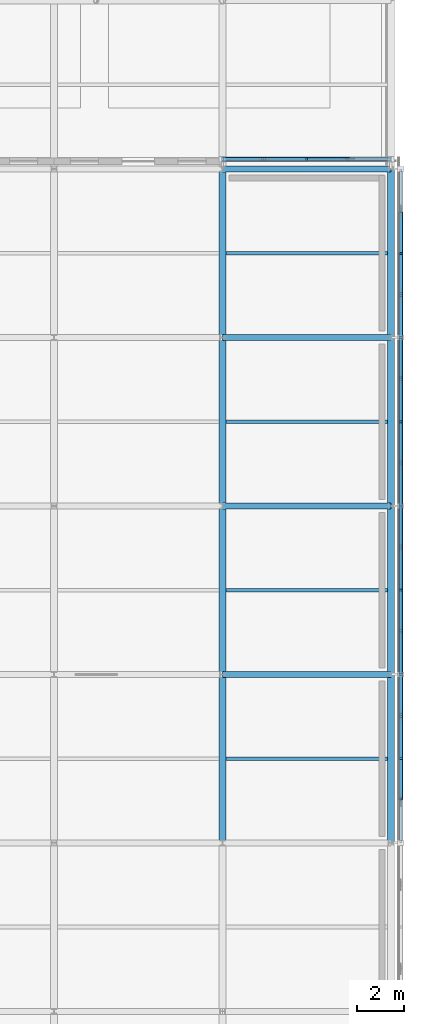
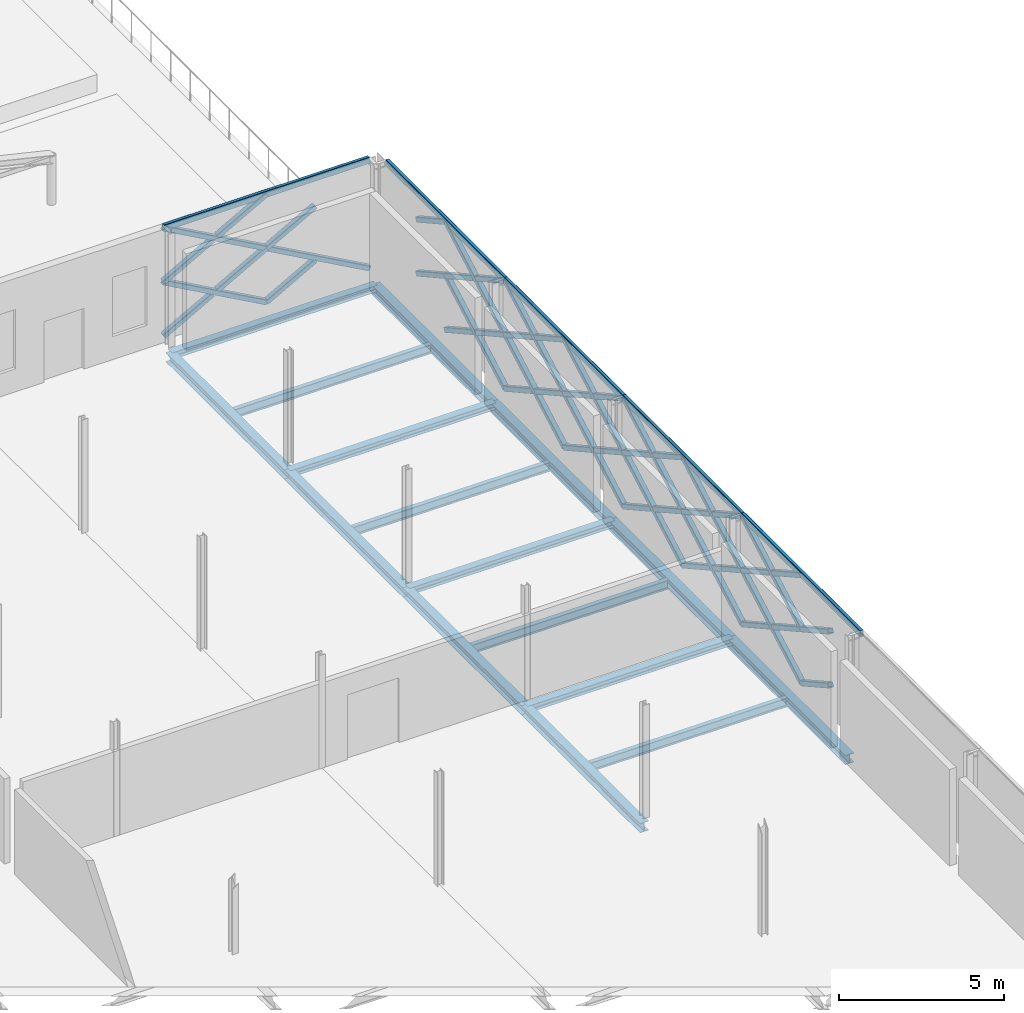
# One storey, part 63 of 126: 54 members, 16 beams.
"""IFC4 building model written with IfcOpenShell, lengths in metres."""

import ifcopenshell
import ifcopenshell.guid

model = None  # the IFC model being written
_history = None  # IfcOwnerHistory: only IFC2X3 demands one
_inside = {}  # id of a spatial element -> (the spatial element, [elements in it])
_under = {}  # id of a project, library or spatial element -> (it, [spatial elements below it])
_declared = {}  # id of a project -> (the project, [libraries it declares])
_typed = {}  # id of a type object -> (the type object, [elements of that type])
_made_of = {}  # id of a material, layer set ... -> (it, [elements and type objects made of it])


def new_model(schema):
    """Start an empty IFC model of exactly this schema.

    Asked for "IFC4X3", IfcOpenShell would pick the latest addendum, in which some entities
    have other attributes; the version numbers below select the first issue.
    IFC2X3 requires an IfcOwnerHistory on every rooted entity: one is made here for all.
    """
    global model, _history
    if schema == "IFC4X3":
        model = ifcopenshell.file(schema_version=(4, 3, 0, 0))
    else:
        model = ifcopenshell.file(schema=schema)
    _inside.clear()
    _under.clear()
    _declared.clear()
    _typed.clear()
    _made_of.clear()
    _history = None
    if model.schema == "IFC2X3":
        org = make("IfcOrganization", Name="unknown")
        user = make(
            "IfcPersonAndOrganization",
            ThePerson=make("IfcPerson", FamilyName="unknown"),
            TheOrganization=org,
        )
        app = make(
            "IfcApplication",
            ApplicationDeveloper=org,
            Version="unknown",
            ApplicationFullName="unknown",
            ApplicationIdentifier="unknown",
        )
        _history = make(
            "IfcOwnerHistory",
            OwningUser=user,
            OwningApplication=app,
            ChangeAction="ADDED",
            CreationDate=0,
        )
    return model


def make(cls, **values):
    """One entity of the class cls with the attributes given. An attribute that is None is left unset."""
    return model.create_entity(
        cls, **{name: value for name, value in values.items() if value is not None}
    )


def rooted(cls, **values):
    """An entity with a GlobalId (a new one), such as an element, a storey or a relation."""
    return make(cls, GlobalId=ifcopenshell.guid.new(), OwnerHistory=_history, **values)


def si_unit(unit_type, name, prefix=None):
    """IfcSIUnit, for example si_unit("LENGTHUNIT", "METRE", prefix="MILLI")."""
    return make("IfcSIUnit", UnitType=unit_type, Prefix=prefix, Name=name)


def assignment(units):
    """IfcUnitAssignment: the units of a project."""
    return None if units is None else make("IfcUnitAssignment", Units=units)


def point(xyz):
    """IfcCartesianPoint."""
    return None if xyz is None else make("IfcCartesianPoint", Coordinates=xyz)


def direction(xyz):
    """IfcDirection."""
    return None if xyz is None else make("IfcDirection", DirectionRatios=xyz)


def frame(location, z_axis=None, x_axis=None):
    """IfcAxis2Placement3D, a coordinate frame: its origin and axes. An axis left out is left unset."""
    return make(
        "IfcAxis2Placement3D",
        Location=point(location),
        Axis=direction(z_axis),
        RefDirection=direction(x_axis),
    )


def frame_2d(location, x_axis=None):
    """IfcAxis2Placement2D, a coordinate frame in the plane: its origin and x axis."""
    return make(
        "IfcAxis2Placement2D", Location=point(location), RefDirection=direction(x_axis)
    )


def origin():
    """The frame at (0, 0, 0) with its axes left unset."""
    return frame((0.0, 0.0, 0.0))


def origin_2d():
    """The frame at (0, 0) in the plane with its x axis left unset."""
    return frame_2d((0.0, 0.0))


def place(relative_to, where):
    """IfcLocalPlacement: puts the frame where relative to a parent placement (None: the world)."""
    return make(
        "IfcLocalPlacement", PlacementRelTo=relative_to, RelativePlacement=where
    )


def context(
    kind, dimensions, precision=None, world=None, true_north=None, identifier=None
):
    """IfcGeometricRepresentationContext, for example the 3D "Model" context."""
    return make(
        "IfcGeometricRepresentationContext",
        ContextIdentifier=identifier,
        ContextType=kind,
        CoordinateSpaceDimension=dimensions,
        Precision=precision,
        WorldCoordinateSystem=world,
        TrueNorth=true_north,
    )


def subcontext(parent, identifier, kind, view, scale=None):
    """IfcGeometricRepresentationSubContext, for example "Body" below "Model"."""
    return make(
        "IfcGeometricRepresentationSubContext",
        ContextIdentifier=identifier,
        ContextType=kind,
        ParentContext=parent,
        TargetScale=scale,
        TargetView=view,
    )


def project(units=None, contexts=None):
    """IfcProject with its units and contexts."""
    return rooted(
        "IfcProject",
        Name="project",
        RepresentationContexts=contexts,
        UnitsInContext=assignment(units),
    )


def spatial(cls, under=None, at=None, **own):
    """A site, building, storey or space (cls), placed at a placement, below another one or the project."""
    s = rooted(cls, ObjectPlacement=at, **own)
    if under is not None:
        _under.setdefault(under.id(), (under, []))[1].append(s)
    return s


def profile(cls, at=None, kind="AREA", **sizes):
    """A parametric profile (cls). Its sizes go by their IFC names, for example OverallWidth=200.0."""
    return make(cls, ProfileType=kind, Position=at, **sizes)


def hollow_rectangle(**sizes):
    """IfcRectangleHollowProfileDef."""
    return profile("IfcRectangleHollowProfileDef", **sizes)


def i_section(**sizes):
    """IfcIShapeProfileDef."""
    return profile("IfcIShapeProfileDef", **sizes)


def extrude(swept, where, along, depth):
    """IfcExtrudedAreaSolid: the profile swept, set in the frame where, extruded along a direction by depth."""
    return make(
        "IfcExtrudedAreaSolid",
        SweptArea=swept,
        Position=where,
        ExtrudedDirection=direction(along),
        Depth=depth,
    )


def shape(context_of_items, identifier, shape_type, items):
    """IfcShapeRepresentation: the items that make up one representation, for example the "Body"."""
    return make(
        "IfcShapeRepresentation",
        ContextOfItems=context_of_items,
        RepresentationIdentifier=identifier,
        RepresentationType=shape_type,
        Items=items,
    )


def material(Name=None, Category=None):
    """IfcMaterial."""
    return make("IfcMaterial", Name=Name, Category=Category)


def material_profile(
    of_material, cross_section, Name=None, Category=None, Priority=None
):
    """IfcMaterialProfile: a cross section and its material."""
    return make(
        "IfcMaterialProfile",
        Name=Name,
        Material=of_material,
        Profile=cross_section,
        Priority=Priority,
        Category=Category,
    )


def profile_set(profiles, Name=None, composite=None):
    """IfcMaterialProfileSet."""
    return make(
        "IfcMaterialProfileSet",
        Name=Name,
        MaterialProfiles=profiles,
        CompositeProfile=composite,
    )


def made_of(thing, what):
    """Note that an element or type object is made of a material, layer set ...; save() writes the relation."""
    if what is not None:
        _made_of.setdefault(what.id(), (what, []))[1].append(thing)
    return thing


def type_object(cls, material=None, **own):
    """A type object (cls), such as IfcWallType, which elements share."""
    return made_of(rooted(cls, **own), material)


def element(
    cls,
    number,
    at=None,
    inside=None,
    cuts=None,
    type_object=None,
    material=None,
    context=None,
    identifier="Body",
    shape_type=None,
    held_by="IfcProductDefinitionShape",
    body=None,
    shapes=None,
    **own,
):
    """One element of the class cls, such as IfcWall. Its Tag is "e" and its number.

    at: its placement. inside: the storey or other place that contains it. cuts: it is an
    opening in that element (IfcRelVoidsElement). A single representation is given by context,
    identifier, shape_type and body (its items); several are given by shapes. held_by: the class
    of the entity that holds the representations. save() writes the other relations.
    """
    e = rooted(cls, Tag="e%d" % number, ObjectPlacement=at, **own)
    if body is not None:
        shapes = [shape(context, identifier, shape_type, body)]
    if shapes is not None:
        e.Representation = make(held_by, Representations=shapes)
    if inside is not None:
        _inside.setdefault(inside.id(), (inside, []))[1].append(e)
    if cuts is not None:
        rooted(
            "IfcRelVoidsElement", RelatingBuildingElement=cuts, RelatedOpeningElement=e
        )
    if type_object is not None:
        _typed.setdefault(type_object.id(), (type_object, []))[1].append(e)
    return made_of(e, material)


def aggregate(whole, parts):
    """IfcRelAggregates: a whole, such as a stair, and the parts it consists of."""
    return rooted("IfcRelAggregates", RelatingObject=whole, RelatedObjects=parts)


def save(model, path):
    """Write the relations noted so far, then the file.

    IfcRelAggregates (storeys below a building ...), IfcRelContainedInSpatialStructure (elements
    in a storey), IfcRelDefinesByType, IfcRelAssociatesMaterial and IfcRelDeclares: one each for
    every whole, place, type object, material and project.
    """
    for whole, parts in _under.values():
        aggregate(whole, parts)
    for where, things in _inside.values():
        rooted(
            "IfcRelContainedInSpatialStructure",
            RelatedElements=things,
            RelatingStructure=where,
        )
    for kind, things in _typed.values():
        rooted("IfcRelDefinesByType", RelatedObjects=things, RelatingType=kind)
    for what, things in _made_of.values():
        rooted("IfcRelAssociatesMaterial", RelatedObjects=things, RelatingMaterial=what)
    for by, libraries in _declared.values():
        rooted("IfcRelDeclares", RelatingContext=by, RelatedDefinitions=libraries)
    model.write(path)


model = new_model("IFC4")

# Units and contexts
model_context = context("Model", 3, precision=1e-05, world=origin(), true_north=direction((0.0, 1.0)))
body_context = subcontext(model_context, "Body", "Model", "MODEL_VIEW")
ifc_project = project(units=[si_unit("LENGTHUNIT", "METRE"), si_unit("AREAUNIT", "SQUARE_METRE"), si_unit("VOLUMEUNIT", "CUBIC_METRE"), si_unit("PLANEANGLEUNIT", "RADIAN"), si_unit("MASSUNIT", "GRAM", prefix="KILO")], contexts=[model_context])

# Site, building, storey
site_placement = place(None, origin())
site = spatial("IfcSite", under=ifc_project, at=site_placement, CompositionType="ELEMENT")
building_placement = place(site_placement, origin())
building = spatial("IfcBuilding", under=site, at=building_placement, Name="Zlatovets Crest Museum", CompositionType="ELEMENT")
storey_placement = place(building_placement, frame((0.0, 0.0, 8.699951171875)))
storey = spatial("IfcBuildingStorey", under=building, at=storey_placement, Name="L02", CompositionType="ELEMENT", Elevation=8.699951171875)

# Beams
ifc_material_1 = material(Name="Structural steel S355J2", Category="steel")
ifc_material_profile_1 = material_profile(ifc_material_1, i_section(OverallWidth=0.300048828125, OverallDepth=0.35009765625, WebThickness=0.010009765625, FlangeThickness=0.017578125, FilletRadius=0.027099609375, at=origin_2d()), Name="HEA 360")
ifc_profile_set_1 = profile_set([ifc_material_profile_1], Name="Structural steel S355J2")
beam_type_1 = type_object("IfcBeamType", Name="Beam_B-03", PredefinedType="BEAM", material=ifc_profile_set_1)
for number, where, z_axis, x_axis, name in (
    (1, (158.39990234375, 28.800048828125, -0.39501953125), (0.0, 1.0, 0.0), (-1.0, 0.0, 0.0), "V5 L02 Grid Beam B-03"),
    (2, (158.39990234375, 36.0, -0.39501953125), (0.0, 1.0, 0.0), (-1.0, 0.0, 0.0), "V5 L02 Grid Beam B-03"),
    (3, (158.39990234375, 43.199951171875, -0.39501953125), (0.0, 1.0, 0.0), (-1.0, 0.0, 0.0), "V5 L02 Grid Beam B-03"),
):
    element("IfcBeam", number, at=place(storey_placement, frame(where, z_axis=z_axis, x_axis=x_axis)), inside=storey, type_object=beam_type_1, Name=name, PredefinedType="BEAM", context=body_context, shape_type="SweptSolid", body=[
        extrude(i_section(OverallWidth=0.300048828125, OverallDepth=0.35009765625, WebThickness=0.010009765625, FlangeThickness=0.017578125, FilletRadius=0.027099609375, at=origin_2d()), origin(), (0.0, 0.0, 1.0), 7.199951171875),
    ])
beam_1_placement = place(storey_placement, frame((158.39990234375, 50.39990234375, -0.39501953125), z_axis=(0.0, 1.0, 0.0), x_axis=(-1.0, 0.0, 0.0)))
element("IfcBeam", 4, at=beam_1_placement, inside=storey, type_object=beam_type_1, Name="V5 L02 Grid Beam B-03", PredefinedType="BEAM", context=body_context, shape_type="SweptSolid", body=[
    extrude(i_section(OverallWidth=0.300048828125, OverallDepth=0.35009765625, WebThickness=0.010009765625, FlangeThickness=0.017578125, FilletRadius=0.027099609375, at=origin_2d()), origin(), (0.0, 0.0, 1.0), 7.2001953125),
])
for number, where, z_axis, x_axis, name in (
    (5, (165.60009765625, 28.800048828125, -0.39501953125), (0.0, 1.0, 0.0), (-1.0, 0.0, 0.0), "V5 L02 Grid Beam B-03"),
    (6, (165.60009765625, 36.0, -0.39501953125), (0.0, 1.0, 0.0), (-1.0, 0.0, 0.0), "V5 L02 Grid Beam B-03"),
    (7, (165.60009765625, 43.199951171875, -0.39501953125), (0.0, 1.0, 0.0), (-1.0, 0.0, 0.0), "V5 L02 Grid Beam B-03"),
):
    element("IfcBeam", number, at=place(storey_placement, frame(where, z_axis=z_axis, x_axis=x_axis)), inside=storey, type_object=beam_type_1, Name=name, PredefinedType="BEAM", context=body_context, shape_type="SweptSolid", body=[
        extrude(i_section(OverallWidth=0.300048828125, OverallDepth=0.35009765625, WebThickness=0.010009765625, FlangeThickness=0.017578125, FilletRadius=0.027099609375, at=origin_2d()), origin(), (0.0, 0.0, 1.0), 7.199951171875),
    ])
beam_2_placement = place(storey_placement, frame((165.60009765625, 50.39990234375, -0.39501953125), z_axis=(0.0, 1.0, 0.0), x_axis=(-1.0, 0.0, 0.0)))
element("IfcBeam", 8, at=beam_2_placement, inside=storey, type_object=beam_type_1, Name="V5 L02 Grid Beam B-03", PredefinedType="BEAM", context=body_context, shape_type="SweptSolid", body=[
    extrude(i_section(OverallWidth=0.300048828125, OverallDepth=0.35009765625, WebThickness=0.010009765625, FlangeThickness=0.017578125, FilletRadius=0.027099609375, at=origin_2d()), origin(), (0.0, 0.0, 1.0), 7.2001953125),
])
ifc_material_profile_2 = material_profile(ifc_material_1, i_section(OverallWidth=0.260009765625, OverallDepth=0.25, WebThickness=0.007568359375, FlangeThickness=0.012451171875, FilletRadius=0.02392578125, at=origin_2d()), Name="HEA 260")
ifc_profile_set_2 = profile_set([ifc_material_profile_2], Name="Structural steel S355J2")
beam_type_2 = type_object("IfcBeamType", Name="Beam_B-13", PredefinedType="BEAM", material=ifc_profile_set_2)
for number, where, z_axis, x_axis, name in (
    (9, (158.39990234375, 36.0, -0.344970703125), (1.0, 0.0, 0.0), (0.0, 1.0, 0.0), "V5 L02 Primary Girder B-13"),
    (10, (158.39990234375, 43.199951171875, -0.344970703125), (1.0, 0.0, 0.0), (0.0, 1.0, 0.0), "V5 L02 Primary Girder B-13"),
    (11, (158.39990234375, 50.39990234375, -0.344970703125), (1.0, 0.0, 0.0), (0.0, 1.0, 0.0), "V5 L02 Primary Girder B-13"),
    (12, (158.39990234375, 57.60009765625, -0.344970703125), (1.0, 0.0, 0.0), (0.0, 1.0, 0.0), "V5 L02 Primary Girder B-13"),
):
    element("IfcBeam", number, at=place(storey_placement, frame(where, z_axis=z_axis, x_axis=x_axis)), inside=storey, type_object=beam_type_2, Name=name, PredefinedType="BEAM", context=body_context, shape_type="SweptSolid", body=[
        extrude(i_section(OverallWidth=0.260009765625, OverallDepth=0.25, WebThickness=0.007568359375, FlangeThickness=0.012451171875, FilletRadius=0.02392578125, at=origin_2d()), origin(), (0.0, 0.0, 1.0), 7.2001953125),
    ])
ifc_material_profile_3 = material_profile(ifc_material_1, i_section(OverallWidth=0.159912109375, OverallDepth=0.330078125, WebThickness=0.007568359375, FlangeThickness=0.011474609375, FilletRadius=0.01806640625, at=origin_2d()), Name="IPE 330")
ifc_profile_set_3 = profile_set([ifc_material_profile_3], Name="Structural steel S355J2")
beam_type_3 = type_object("IfcBeamType", Name="Beam_J-09", PredefinedType="JOIST", material=ifc_profile_set_3)
for number, where, z_axis, x_axis, name in (
    (13, (158.550048828125, 32.39990234375, -0.385009765625), (1.0, 0.0, 0.0), (0.0, 1.0, 0.0), "V5 L02 Composite Joist J-09"),
    (14, (158.550048828125, 39.60009765625, -0.385009765625), (1.0, 0.0, 0.0), (0.0, 1.0, 0.0), "V5 L02 Composite Joist J-09"),
    (15, (158.550048828125, 46.800048828125, -0.385009765625), (1.0, 0.0, 0.0), (0.0, 1.0, 0.0), "V5 L02 Composite Joist J-09"),
    (16, (158.550048828125, 54.0, -0.385009765625), (1.0, 0.0, 0.0), (0.0, 1.0, 0.0), "V5 L02 Composite Joist J-09"),
):
    element("IfcBeam", number, at=place(storey_placement, frame(where, z_axis=z_axis, x_axis=x_axis)), inside=storey, type_object=beam_type_3, Name=name, PredefinedType="JOIST", context=body_context, shape_type="SweptSolid", body=[
        extrude(i_section(OverallWidth=0.159912109375, OverallDepth=0.330078125, WebThickness=0.007568359375, FlangeThickness=0.011474609375, FilletRadius=0.01806640625, at=origin_2d()), origin(), (0.0, 0.0, 1.0), 6.89990234375),
    ])

# Members
ifc_material_2 = material(Name="Weathering bronze-steel S355J2W", Category="steel")
ifc_material_profile_4 = material_profile(ifc_material_2, hollow_rectangle(XDim=0.179931640625, YDim=0.179931640625, WallThickness=0.010009765625, InnerFilletRadius=0.010009765625, OuterFilletRadius=0.02001953125, at=origin_2d()), Name="SHS 180x180x10.0")
ifc_profile_set_4 = profile_set([ifc_material_profile_4], Name="Weathering bronze-steel S355J2W")
member_type_1 = type_object("IfcMemberType", Name="Lattice_XL-01", PredefinedType="BRACE", material=ifc_profile_set_4)
member_1_placement = place(storey_placement, frame((166.02001953125, 30.68310546875, 1.053955078125), z_axis=(0.0, 0.874139684676, -0.48567459443), x_axis=(-1.0, 0.0, 0.0)))
element("IfcMember", 17, at=member_1_placement, inside=storey, type_object=member_type_1, Name="Split Crossing Bronze Lattice Diagonal Lower", PredefinedType="BRACE", context=body_context, shape_type="SweptSolid", body=[
    extrude(hollow_rectangle(XDim=0.179931640625, YDim=0.179931640625, WallThickness=0.010009765625, InnerFilletRadius=0.010009765625, OuterFilletRadius=0.02001953125, at=origin_2d()), origin(), (0.0, 0.0, 1.0), 1.9638671875),
])
member_2_placement = place(storey_placement, frame((166.02001953125, 32.39990234375, 0.10009765625), z_axis=(0.0, 0.874162868644, 0.485632864501), x_axis=(-1.0, 0.0, 0.0)))
element("IfcMember", 18, at=member_2_placement, inside=storey, type_object=member_type_1, Name="Continuous Bronze Lattice Diagonal", PredefinedType="BRACE", context=body_context, shape_type="SweptSolid", body=[
    extrude(hollow_rectangle(XDim=0.179931640625, YDim=0.179931640625, WallThickness=0.010009765625, InnerFilletRadius=0.010009765625, OuterFilletRadius=0.02001953125, at=origin_2d()), origin(), (0.0, 0.0, 1.0), 4.118408203125),
])
for number, where, z_axis, x_axis, name in (
    (19, (166.02001953125, 32.39990234375, 2.10009765625), (0.0, 0.874169001841, -0.485621824284), (-1.0, 0.0, 0.0), "Split Crossing Bronze Lattice Diagonal Upper"),
    (20, (166.02001953125, 34.282958984375, 1.053955078125), (0.0, 0.874169001841, -0.485621824284), (-1.0, 0.0, 0.0), "Split Crossing Bronze Lattice Diagonal Lower"),
):
    element("IfcMember", number, at=place(storey_placement, frame(where, z_axis=z_axis, x_axis=x_axis)), inside=storey, type_object=member_type_1, Name=name, PredefinedType="BRACE", context=body_context, shape_type="SweptSolid", body=[
        extrude(hollow_rectangle(XDim=0.179931640625, YDim=0.179931640625, WallThickness=0.010009765625, InnerFilletRadius=0.010009765625, OuterFilletRadius=0.02001953125, at=origin_2d()), origin(), (0.0, 0.0, 1.0), 1.964111328125),
    ])
member_3_placement = place(storey_placement, frame((166.02001953125, 30.68310546875, 3.053955078125), z_axis=(0.0, 0.874139684676, -0.48567459443), x_axis=(-1.0, 0.0, 0.0)))
element("IfcMember", 21, at=member_3_placement, inside=storey, type_object=member_type_1, Name="Split Crossing Bronze Lattice Diagonal Lower", PredefinedType="BRACE", context=body_context, shape_type="SweptSolid", body=[
    extrude(hollow_rectangle(XDim=0.179931640625, YDim=0.179931640625, WallThickness=0.010009765625, InnerFilletRadius=0.010009765625, OuterFilletRadius=0.02001953125, at=origin_2d()), origin(), (0.0, 0.0, 1.0), 1.9638671875),
])
member_4_placement = place(storey_placement, frame((166.02001953125, 32.39990234375, 2.10009765625), z_axis=(0.0, 0.874162868644, 0.485632864501), x_axis=(-1.0, 0.0, 0.0)))
element("IfcMember", 22, at=member_4_placement, inside=storey, type_object=member_type_1, Name="Continuous Bronze Lattice Diagonal", PredefinedType="BRACE", context=body_context, shape_type="SweptSolid", body=[
    extrude(hollow_rectangle(XDim=0.179931640625, YDim=0.179931640625, WallThickness=0.010009765625, InnerFilletRadius=0.010009765625, OuterFilletRadius=0.02001953125, at=origin_2d()), origin(), (0.0, 0.0, 1.0), 4.118408203125),
])
for number, where, z_axis, x_axis, name in (
    (23, (166.02001953125, 32.39990234375, 4.10009765625), (0.0, 0.874169001841, -0.485621824284), (-1.0, 0.0, 0.0), "Split Crossing Bronze Lattice Diagonal Upper"),
    (24, (166.02001953125, 34.282958984375, 3.053955078125), (0.0, 0.874169001841, -0.485621824284), (-1.0, 0.0, 0.0), "Split Crossing Bronze Lattice Diagonal Lower"),
):
    element("IfcMember", number, at=place(storey_placement, frame(where, z_axis=z_axis, x_axis=x_axis)), inside=storey, type_object=member_type_1, Name=name, PredefinedType="BRACE", context=body_context, shape_type="SweptSolid", body=[
        extrude(hollow_rectangle(XDim=0.179931640625, YDim=0.179931640625, WallThickness=0.010009765625, InnerFilletRadius=0.010009765625, OuterFilletRadius=0.02001953125, at=origin_2d()), origin(), (0.0, 0.0, 1.0), 1.964111328125),
    ])
member_5_placement = place(storey_placement, frame((166.02001953125, 36.0, 0.10009765625), z_axis=(0.0, 0.874162868644, 0.485632864501), x_axis=(-1.0, 0.0, 0.0)))
element("IfcMember", 25, at=member_5_placement, inside=storey, type_object=member_type_1, Name="Continuous Bronze Lattice Diagonal", PredefinedType="BRACE", context=body_context, shape_type="SweptSolid", body=[
    extrude(hollow_rectangle(XDim=0.179931640625, YDim=0.179931640625, WallThickness=0.010009765625, InnerFilletRadius=0.010009765625, OuterFilletRadius=0.02001953125, at=origin_2d()), origin(), (0.0, 0.0, 1.0), 4.118408203125),
])
for number, where, z_axis, x_axis, name in (
    (26, (166.02001953125, 36.0, 2.10009765625), (0.0, 0.874169001841, -0.485621824284), (-1.0, 0.0, 0.0), "Split Crossing Bronze Lattice Diagonal Upper"),
    (27, (166.02001953125, 37.883056640625, 1.053955078125), (0.0, 0.874169001841, -0.485621824284), (-1.0, 0.0, 0.0), "Split Crossing Bronze Lattice Diagonal Lower"),
):
    element("IfcMember", number, at=place(storey_placement, frame(where, z_axis=z_axis, x_axis=x_axis)), inside=storey, type_object=member_type_1, Name=name, PredefinedType="BRACE", context=body_context, shape_type="SweptSolid", body=[
        extrude(hollow_rectangle(XDim=0.179931640625, YDim=0.179931640625, WallThickness=0.010009765625, InnerFilletRadius=0.010009765625, OuterFilletRadius=0.02001953125, at=origin_2d()), origin(), (0.0, 0.0, 1.0), 1.964111328125),
    ])
member_6_placement = place(storey_placement, frame((166.02001953125, 39.60009765625, 0.10009765625), z_axis=(0.0, 0.874148886685, 0.485658031857), x_axis=(-1.0, 0.0, 0.0)))
element("IfcMember", 28, at=member_6_placement, inside=storey, type_object=member_type_1, Name="Continuous Bronze Lattice Diagonal", PredefinedType="BRACE", context=body_context, shape_type="SweptSolid", body=[
    extrude(hollow_rectangle(XDim=0.179931640625, YDim=0.179931640625, WallThickness=0.010009765625, InnerFilletRadius=0.010009765625, OuterFilletRadius=0.02001953125, at=origin_2d()), origin(), (0.0, 0.0, 1.0), 4.1181640625),
])
member_7_placement = place(storey_placement, frame((166.02001953125, 39.60009765625, 2.10009765625), z_axis=(0.0, 0.874139684676, -0.48567459443), x_axis=(-1.0, 0.0, 0.0)))
element("IfcMember", 29, at=member_7_placement, inside=storey, type_object=member_type_1, Name="Split Crossing Bronze Lattice Diagonal Upper", PredefinedType="BRACE", context=body_context, shape_type="SweptSolid", body=[
    extrude(hollow_rectangle(XDim=0.179931640625, YDim=0.179931640625, WallThickness=0.010009765625, InnerFilletRadius=0.010009765625, OuterFilletRadius=0.02001953125, at=origin_2d()), origin(), (0.0, 0.0, 1.0), 1.9638671875),
])
member_8_placement = place(storey_placement, frame((166.02001953125, 41.48291015625, 1.053955078125), z_axis=(0.0, 0.874169001841, -0.485621824284), x_axis=(-1.0, 0.0, 0.0)))
element("IfcMember", 30, at=member_8_placement, inside=storey, type_object=member_type_1, Name="Split Crossing Bronze Lattice Diagonal Lower", PredefinedType="BRACE", context=body_context, shape_type="SweptSolid", body=[
    extrude(hollow_rectangle(XDim=0.179931640625, YDim=0.179931640625, WallThickness=0.010009765625, InnerFilletRadius=0.010009765625, OuterFilletRadius=0.02001953125, at=origin_2d()), origin(), (0.0, 0.0, 1.0), 1.964111328125),
])
member_9_placement = place(storey_placement, frame((166.02001953125, 36.0, 2.10009765625), z_axis=(0.0, 0.874162868644, 0.485632864501), x_axis=(-1.0, 0.0, 0.0)))
element("IfcMember", 31, at=member_9_placement, inside=storey, type_object=member_type_1, Name="Continuous Bronze Lattice Diagonal", PredefinedType="BRACE", context=body_context, shape_type="SweptSolid", body=[
    extrude(hollow_rectangle(XDim=0.179931640625, YDim=0.179931640625, WallThickness=0.010009765625, InnerFilletRadius=0.010009765625, OuterFilletRadius=0.02001953125, at=origin_2d()), origin(), (0.0, 0.0, 1.0), 4.118408203125),
])
for number, where, z_axis, x_axis, name in (
    (32, (166.02001953125, 36.0, 4.10009765625), (0.0, 0.874169001841, -0.485621824284), (-1.0, 0.0, 0.0), "Split Crossing Bronze Lattice Diagonal Upper"),
    (33, (166.02001953125, 37.883056640625, 3.053955078125), (0.0, 0.874169001841, -0.485621824284), (-1.0, 0.0, 0.0), "Split Crossing Bronze Lattice Diagonal Lower"),
):
    element("IfcMember", number, at=place(storey_placement, frame(where, z_axis=z_axis, x_axis=x_axis)), inside=storey, type_object=member_type_1, Name=name, PredefinedType="BRACE", context=body_context, shape_type="SweptSolid", body=[
        extrude(hollow_rectangle(XDim=0.179931640625, YDim=0.179931640625, WallThickness=0.010009765625, InnerFilletRadius=0.010009765625, OuterFilletRadius=0.02001953125, at=origin_2d()), origin(), (0.0, 0.0, 1.0), 1.964111328125),
    ])
member_10_placement = place(storey_placement, frame((166.02001953125, 39.60009765625, 2.10009765625), z_axis=(0.0, 0.874148886685, 0.485658031857), x_axis=(-1.0, 0.0, 0.0)))
element("IfcMember", 34, at=member_10_placement, inside=storey, type_object=member_type_1, Name="Continuous Bronze Lattice Diagonal", PredefinedType="BRACE", context=body_context, shape_type="SweptSolid", body=[
    extrude(hollow_rectangle(XDim=0.179931640625, YDim=0.179931640625, WallThickness=0.010009765625, InnerFilletRadius=0.010009765625, OuterFilletRadius=0.02001953125, at=origin_2d()), origin(), (0.0, 0.0, 1.0), 4.1181640625),
])
member_11_placement = place(storey_placement, frame((166.02001953125, 39.60009765625, 4.10009765625), z_axis=(0.0, 0.874139684676, -0.48567459443), x_axis=(-1.0, 0.0, 0.0)))
element("IfcMember", 35, at=member_11_placement, inside=storey, type_object=member_type_1, Name="Split Crossing Bronze Lattice Diagonal Upper", PredefinedType="BRACE", context=body_context, shape_type="SweptSolid", body=[
    extrude(hollow_rectangle(XDim=0.179931640625, YDim=0.179931640625, WallThickness=0.010009765625, InnerFilletRadius=0.010009765625, OuterFilletRadius=0.02001953125, at=origin_2d()), origin(), (0.0, 0.0, 1.0), 1.9638671875),
])
member_12_placement = place(storey_placement, frame((166.02001953125, 41.48291015625, 3.053955078125), z_axis=(0.0, 0.874169001841, -0.485621824284), x_axis=(-1.0, 0.0, 0.0)))
element("IfcMember", 36, at=member_12_placement, inside=storey, type_object=member_type_1, Name="Split Crossing Bronze Lattice Diagonal Lower", PredefinedType="BRACE", context=body_context, shape_type="SweptSolid", body=[
    extrude(hollow_rectangle(XDim=0.179931640625, YDim=0.179931640625, WallThickness=0.010009765625, InnerFilletRadius=0.010009765625, OuterFilletRadius=0.02001953125, at=origin_2d()), origin(), (0.0, 0.0, 1.0), 1.964111328125),
])
member_13_placement = place(storey_placement, frame((166.02001953125, 43.199951171875, 0.10009765625), z_axis=(0.0, 0.874162868644, 0.485632864501), x_axis=(-1.0, 0.0, 0.0)))
element("IfcMember", 37, at=member_13_placement, inside=storey, type_object=member_type_1, Name="Continuous Bronze Lattice Diagonal", PredefinedType="BRACE", context=body_context, shape_type="SweptSolid", body=[
    extrude(hollow_rectangle(XDim=0.179931640625, YDim=0.179931640625, WallThickness=0.010009765625, InnerFilletRadius=0.010009765625, OuterFilletRadius=0.02001953125, at=origin_2d()), origin(), (0.0, 0.0, 1.0), 4.118408203125),
])
for number, where, z_axis, x_axis, name in (
    (38, (166.02001953125, 43.199951171875, 2.10009765625), (0.0, 0.874169001841, -0.485621824284), (-1.0, 0.0, 0.0), "Split Crossing Bronze Lattice Diagonal Upper"),
    (39, (166.02001953125, 45.0830078125, 1.053955078125), (0.0, 0.874169001841, -0.485621824284), (-1.0, 0.0, 0.0), "Split Crossing Bronze Lattice Diagonal Lower"),
):
    element("IfcMember", number, at=place(storey_placement, frame(where, z_axis=z_axis, x_axis=x_axis)), inside=storey, type_object=member_type_1, Name=name, PredefinedType="BRACE", context=body_context, shape_type="SweptSolid", body=[
        extrude(hollow_rectangle(XDim=0.179931640625, YDim=0.179931640625, WallThickness=0.010009765625, InnerFilletRadius=0.010009765625, OuterFilletRadius=0.02001953125, at=origin_2d()), origin(), (0.0, 0.0, 1.0), 1.964111328125),
    ])
member_14_placement = place(storey_placement, frame((166.02001953125, 46.800048828125, 0.10009765625), z_axis=(0.0, 0.874148886685, 0.485658031857), x_axis=(-1.0, 0.0, 0.0)))
element("IfcMember", 40, at=member_14_placement, inside=storey, type_object=member_type_1, Name="Continuous Bronze Lattice Diagonal", PredefinedType="BRACE", context=body_context, shape_type="SweptSolid", body=[
    extrude(hollow_rectangle(XDim=0.179931640625, YDim=0.179931640625, WallThickness=0.010009765625, InnerFilletRadius=0.010009765625, OuterFilletRadius=0.02001953125, at=origin_2d()), origin(), (0.0, 0.0, 1.0), 4.1181640625),
])
member_15_placement = place(storey_placement, frame((166.02001953125, 46.800048828125, 2.10009765625), z_axis=(0.0, 0.874169001841, -0.485621824284), x_axis=(-1.0, 0.0, 0.0)))
element("IfcMember", 41, at=member_15_placement, inside=storey, type_object=member_type_1, Name="Split Crossing Bronze Lattice Diagonal Upper", PredefinedType="BRACE", context=body_context, shape_type="SweptSolid", body=[
    extrude(hollow_rectangle(XDim=0.179931640625, YDim=0.179931640625, WallThickness=0.010009765625, InnerFilletRadius=0.010009765625, OuterFilletRadius=0.02001953125, at=origin_2d()), origin(), (0.0, 0.0, 1.0), 1.964111328125),
])
member_16_placement = place(storey_placement, frame((166.02001953125, 48.68310546875, 1.053955078125), z_axis=(0.0, 0.874139684676, -0.48567459443), x_axis=(-1.0, 0.0, 0.0)))
element("IfcMember", 42, at=member_16_placement, inside=storey, type_object=member_type_1, Name="Split Crossing Bronze Lattice Diagonal Lower", PredefinedType="BRACE", context=body_context, shape_type="SweptSolid", body=[
    extrude(hollow_rectangle(XDim=0.179931640625, YDim=0.179931640625, WallThickness=0.010009765625, InnerFilletRadius=0.010009765625, OuterFilletRadius=0.02001953125, at=origin_2d()), origin(), (0.0, 0.0, 1.0), 1.9638671875),
])
member_17_placement = place(storey_placement, frame((166.02001953125, 43.199951171875, 2.10009765625), z_axis=(0.0, 0.874162868644, 0.485632864501), x_axis=(-1.0, 0.0, 0.0)))
element("IfcMember", 43, at=member_17_placement, inside=storey, type_object=member_type_1, Name="Continuous Bronze Lattice Diagonal", PredefinedType="BRACE", context=body_context, shape_type="SweptSolid", body=[
    extrude(hollow_rectangle(XDim=0.179931640625, YDim=0.179931640625, WallThickness=0.010009765625, InnerFilletRadius=0.010009765625, OuterFilletRadius=0.02001953125, at=origin_2d()), origin(), (0.0, 0.0, 1.0), 4.118408203125),
])
for number, where, z_axis, x_axis, name in (
    (44, (166.02001953125, 43.199951171875, 4.10009765625), (0.0, 0.874169001841, -0.485621824284), (-1.0, 0.0, 0.0), "Split Crossing Bronze Lattice Diagonal Upper"),
    (45, (166.02001953125, 45.0830078125, 3.053955078125), (0.0, 0.874169001841, -0.485621824284), (-1.0, 0.0, 0.0), "Split Crossing Bronze Lattice Diagonal Lower"),
):
    element("IfcMember", number, at=place(storey_placement, frame(where, z_axis=z_axis, x_axis=x_axis)), inside=storey, type_object=member_type_1, Name=name, PredefinedType="BRACE", context=body_context, shape_type="SweptSolid", body=[
        extrude(hollow_rectangle(XDim=0.179931640625, YDim=0.179931640625, WallThickness=0.010009765625, InnerFilletRadius=0.010009765625, OuterFilletRadius=0.02001953125, at=origin_2d()), origin(), (0.0, 0.0, 1.0), 1.964111328125),
    ])
member_18_placement = place(storey_placement, frame((166.02001953125, 46.800048828125, 2.10009765625), z_axis=(0.0, 0.874148886685, 0.485658031857), x_axis=(-1.0, 0.0, 0.0)))
element("IfcMember", 46, at=member_18_placement, inside=storey, type_object=member_type_1, Name="Continuous Bronze Lattice Diagonal", PredefinedType="BRACE", context=body_context, shape_type="SweptSolid", body=[
    extrude(hollow_rectangle(XDim=0.179931640625, YDim=0.179931640625, WallThickness=0.010009765625, InnerFilletRadius=0.010009765625, OuterFilletRadius=0.02001953125, at=origin_2d()), origin(), (0.0, 0.0, 1.0), 4.1181640625),
])
member_19_placement = place(storey_placement, frame((166.02001953125, 46.800048828125, 4.10009765625), z_axis=(0.0, 0.874169001841, -0.485621824284), x_axis=(-1.0, 0.0, 0.0)))
element("IfcMember", 47, at=member_19_placement, inside=storey, type_object=member_type_1, Name="Split Crossing Bronze Lattice Diagonal Upper", PredefinedType="BRACE", context=body_context, shape_type="SweptSolid", body=[
    extrude(hollow_rectangle(XDim=0.179931640625, YDim=0.179931640625, WallThickness=0.010009765625, InnerFilletRadius=0.010009765625, OuterFilletRadius=0.02001953125, at=origin_2d()), origin(), (0.0, 0.0, 1.0), 1.964111328125),
])
member_20_placement = place(storey_placement, frame((166.02001953125, 48.68310546875, 3.053955078125), z_axis=(0.0, 0.874139684676, -0.48567459443), x_axis=(-1.0, 0.0, 0.0)))
element("IfcMember", 48, at=member_20_placement, inside=storey, type_object=member_type_1, Name="Split Crossing Bronze Lattice Diagonal Lower", PredefinedType="BRACE", context=body_context, shape_type="SweptSolid", body=[
    extrude(hollow_rectangle(XDim=0.179931640625, YDim=0.179931640625, WallThickness=0.010009765625, InnerFilletRadius=0.010009765625, OuterFilletRadius=0.02001953125, at=origin_2d()), origin(), (0.0, 0.0, 1.0), 1.9638671875),
])
member_21_placement = place(storey_placement, frame((166.02001953125, 50.39990234375, 0.10009765625), z_axis=(0.0, 0.874162868644, 0.485632864501), x_axis=(-1.0, 0.0, 0.0)))
element("IfcMember", 49, at=member_21_placement, inside=storey, type_object=member_type_1, Name="Continuous Bronze Lattice Diagonal", PredefinedType="BRACE", context=body_context, shape_type="SweptSolid", body=[
    extrude(hollow_rectangle(XDim=0.179931640625, YDim=0.179931640625, WallThickness=0.010009765625, InnerFilletRadius=0.010009765625, OuterFilletRadius=0.02001953125, at=origin_2d()), origin(), (0.0, 0.0, 1.0), 4.118408203125),
])
for number, where, z_axis, x_axis, name in (
    (50, (166.02001953125, 50.39990234375, 2.10009765625), (0.0, 0.874169001841, -0.485621824284), (-1.0, 0.0, 0.0), "Split Crossing Bronze Lattice Diagonal Upper"),
    (51, (166.02001953125, 52.282958984375, 1.053955078125), (0.0, 0.874169001841, -0.485621824284), (-1.0, 0.0, 0.0), "Split Crossing Bronze Lattice Diagonal Lower"),
    (52, (166.02001953125, 54.0, 2.10009765625), (0.0, 0.874169001841, -0.485621824284), (-1.0, 0.0, 0.0), "Split Crossing Bronze Lattice Diagonal Upper"),
):
    element("IfcMember", number, at=place(storey_placement, frame(where, z_axis=z_axis, x_axis=x_axis)), inside=storey, type_object=member_type_1, Name=name, PredefinedType="BRACE", context=body_context, shape_type="SweptSolid", body=[
        extrude(hollow_rectangle(XDim=0.179931640625, YDim=0.179931640625, WallThickness=0.010009765625, InnerFilletRadius=0.010009765625, OuterFilletRadius=0.02001953125, at=origin_2d()), origin(), (0.0, 0.0, 1.0), 1.964111328125),
    ])
member_22_placement = place(storey_placement, frame((166.02001953125, 50.39990234375, 2.10009765625), z_axis=(0.0, 0.874162868644, 0.485632864501), x_axis=(-1.0, 0.0, 0.0)))
element("IfcMember", 53, at=member_22_placement, inside=storey, type_object=member_type_1, Name="Continuous Bronze Lattice Diagonal", PredefinedType="BRACE", context=body_context, shape_type="SweptSolid", body=[
    extrude(hollow_rectangle(XDim=0.179931640625, YDim=0.179931640625, WallThickness=0.010009765625, InnerFilletRadius=0.010009765625, OuterFilletRadius=0.02001953125, at=origin_2d()), origin(), (0.0, 0.0, 1.0), 4.118408203125),
])
for number, where, z_axis, x_axis, name in (
    (54, (166.02001953125, 50.39990234375, 4.10009765625), (0.0, 0.874169001841, -0.485621824284), (-1.0, 0.0, 0.0), "Split Crossing Bronze Lattice Diagonal Upper"),
    (55, (166.02001953125, 52.282958984375, 3.053955078125), (0.0, 0.874169001841, -0.485621824284), (-1.0, 0.0, 0.0), "Split Crossing Bronze Lattice Diagonal Lower"),
    (56, (166.02001953125, 54.0, 4.10009765625), (0.0, 0.874169001841, -0.485621824284), (-1.0, 0.0, 0.0), "Split Crossing Bronze Lattice Diagonal Upper"),
):
    element("IfcMember", number, at=place(storey_placement, frame(where, z_axis=z_axis, x_axis=x_axis)), inside=storey, type_object=member_type_1, Name=name, PredefinedType="BRACE", context=body_context, shape_type="SweptSolid", body=[
        extrude(hollow_rectangle(XDim=0.179931640625, YDim=0.179931640625, WallThickness=0.010009765625, InnerFilletRadius=0.010009765625, OuterFilletRadius=0.02001953125, at=origin_2d()), origin(), (0.0, 0.0, 1.0), 1.964111328125),
    ])
member_23_placement = place(storey_placement, frame((165.60009765625, 58.02001953125, 0.10009765625), z_axis=(-0.874162868644, 0.0, 0.485632864501), x_axis=(0.0, -1.0, 0.0)))
element("IfcMember", 57, at=member_23_placement, inside=storey, type_object=member_type_1, Name="Continuous Bronze Lattice Diagonal", PredefinedType="BRACE", context=body_context, shape_type="SweptSolid", body=[
    extrude(hollow_rectangle(XDim=0.179931640625, YDim=0.179931640625, WallThickness=0.010009765625, InnerFilletRadius=0.010009765625, OuterFilletRadius=0.02001953125, at=origin_2d()), origin(), (0.0, 0.0, 1.0), 4.118408203125),
])
member_24_placement = place(storey_placement, frame((163.717041015625, 58.02001953125, 1.053955078125), z_axis=(-0.874169001841, 0.0, -0.485621824284), x_axis=(0.0, -1.0, 0.0)))
element("IfcMember", 58, at=member_24_placement, inside=storey, type_object=member_type_1, Name="Split Crossing Bronze Lattice Diagonal Lower", PredefinedType="BRACE", context=body_context, shape_type="SweptSolid", body=[
    extrude(hollow_rectangle(XDim=0.179931640625, YDim=0.179931640625, WallThickness=0.010009765625, InnerFilletRadius=0.010009765625, OuterFilletRadius=0.02001953125, at=origin_2d()), origin(), (0.0, 0.0, 1.0), 1.964111328125),
])
member_25_placement = place(storey_placement, frame((162.0, 58.02001953125, 0.10009765625), z_axis=(-0.874162868644, 0.0, 0.485632864501), x_axis=(0.0, -1.0, 0.0)))
element("IfcMember", 59, at=member_25_placement, inside=storey, type_object=member_type_1, Name="Continuous Bronze Lattice Diagonal", PredefinedType="BRACE", context=body_context, shape_type="SweptSolid", body=[
    extrude(hollow_rectangle(XDim=0.179931640625, YDim=0.179931640625, WallThickness=0.010009765625, InnerFilletRadius=0.010009765625, OuterFilletRadius=0.02001953125, at=origin_2d()), origin(), (0.0, 0.0, 1.0), 4.118408203125),
])
for number, where, z_axis, x_axis, name in (
    (60, (162.0, 58.02001953125, 2.10009765625), (-0.874169001841, 0.0, -0.485621824284), (0.0, -1.0, 0.0), "Split Crossing Bronze Lattice Diagonal Upper"),
    (61, (160.116943359375, 58.02001953125, 1.053955078125), (-0.874169001841, 0.0, -0.485621824284), (0.0, -1.0, 0.0), "Split Crossing Bronze Lattice Diagonal Lower"),
    (62, (163.717041015625, 58.02001953125, 3.053955078125), (-0.874169001841, 0.0, -0.485621824284), (0.0, -1.0, 0.0), "Split Crossing Bronze Lattice Diagonal Lower"),
):
    element("IfcMember", number, at=place(storey_placement, frame(where, z_axis=z_axis, x_axis=x_axis)), inside=storey, type_object=member_type_1, Name=name, PredefinedType="BRACE", context=body_context, shape_type="SweptSolid", body=[
        extrude(hollow_rectangle(XDim=0.179931640625, YDim=0.179931640625, WallThickness=0.010009765625, InnerFilletRadius=0.010009765625, OuterFilletRadius=0.02001953125, at=origin_2d()), origin(), (0.0, 0.0, 1.0), 1.964111328125),
    ])
member_26_placement = place(storey_placement, frame((162.0, 58.02001953125, 2.10009765625), z_axis=(-0.874162868644, 0.0, 0.485632864501), x_axis=(0.0, -1.0, 0.0)))
element("IfcMember", 63, at=member_26_placement, inside=storey, type_object=member_type_1, Name="Continuous Bronze Lattice Diagonal", PredefinedType="BRACE", context=body_context, shape_type="SweptSolid", body=[
    extrude(hollow_rectangle(XDim=0.179931640625, YDim=0.179931640625, WallThickness=0.010009765625, InnerFilletRadius=0.010009765625, OuterFilletRadius=0.02001953125, at=origin_2d()), origin(), (0.0, 0.0, 1.0), 4.118408203125),
])
for number, where, z_axis, x_axis, name in (
    (64, (162.0, 58.02001953125, 4.10009765625), (-0.874169001841, 0.0, -0.485621824284), (0.0, -1.0, 0.0), "Split Crossing Bronze Lattice Diagonal Upper"),
    (65, (160.116943359375, 58.02001953125, 3.053955078125), (-0.874169001841, 0.0, -0.485621824284), (0.0, -1.0, 0.0), "Split Crossing Bronze Lattice Diagonal Lower"),
):
    element("IfcMember", number, at=place(storey_placement, frame(where, z_axis=z_axis, x_axis=x_axis)), inside=storey, type_object=member_type_1, Name=name, PredefinedType="BRACE", context=body_context, shape_type="SweptSolid", body=[
        extrude(hollow_rectangle(XDim=0.179931640625, YDim=0.179931640625, WallThickness=0.010009765625, InnerFilletRadius=0.010009765625, OuterFilletRadius=0.02001953125, at=origin_2d()), origin(), (0.0, 0.0, 1.0), 1.964111328125),
    ])
ifc_material_profile_5 = material_profile(ifc_material_2, hollow_rectangle(XDim=0.1201171875, YDim=0.239990234375, WallThickness=0.010009765625, InnerFilletRadius=0.010009765625, OuterFilletRadius=0.02001953125, at=origin_2d()), Name="RHS 120x240x10.0")
ifc_profile_set_5 = profile_set([ifc_material_profile_5], Name="Weathering bronze-steel S355J2W")
member_type_2 = type_object("IfcMemberType", Name="Lattice_XL-04", PredefinedType="CHORD", material=ifc_profile_set_5)
for number, where, z_axis, x_axis, name in (
    (66, (166.02001953125, 28.800048828125, 4.10009765625), (0.0, 1.0, 0.0), (-1.0, 0.0, 0.0), "Art Nouveau Woven Cage Collector Ring Chord"),
    (67, (166.02001953125, 36.0, 4.10009765625), (0.0, 1.0, 0.0), (-1.0, 0.0, 0.0), "Art Nouveau Woven Cage Collector Ring Chord"),
    (68, (166.02001953125, 43.199951171875, 4.10009765625), (0.0, 1.0, 0.0), (-1.0, 0.0, 0.0), "Art Nouveau Woven Cage Collector Ring Chord"),
):
    element("IfcMember", number, at=place(storey_placement, frame(where, z_axis=z_axis, x_axis=x_axis)), inside=storey, type_object=member_type_2, Name=name, PredefinedType="CHORD", context=body_context, shape_type="SweptSolid", body=[
        extrude(hollow_rectangle(XDim=0.1201171875, YDim=0.239990234375, WallThickness=0.010009765625, InnerFilletRadius=0.010009765625, OuterFilletRadius=0.02001953125, at=origin_2d()), origin(), (0.0, 0.0, 1.0), 7.199951171875),
    ])
for number, where, z_axis, x_axis, name in (
    (69, (166.02001953125, 50.39990234375, 4.10009765625), (0.0, 1.0, 0.0), (-1.0, 0.0, 0.0), "Art Nouveau Woven Cage Collector Ring Chord"),
    (70, (165.60009765625, 58.02001953125, 4.10009765625), (-1.0, 0.0, 0.0), (0.0, -1.0, 0.0), "Art Nouveau Woven Cage Collector Ring Chord"),
):
    element("IfcMember", number, at=place(storey_placement, frame(where, z_axis=z_axis, x_axis=x_axis)), inside=storey, type_object=member_type_2, Name=name, PredefinedType="CHORD", context=body_context, shape_type="SweptSolid", body=[
        extrude(hollow_rectangle(XDim=0.1201171875, YDim=0.239990234375, WallThickness=0.010009765625, InnerFilletRadius=0.010009765625, OuterFilletRadius=0.02001953125, at=origin_2d()), origin(), (0.0, 0.0, 1.0), 7.2001953125),
    ])

save(model, "model.ifc")
